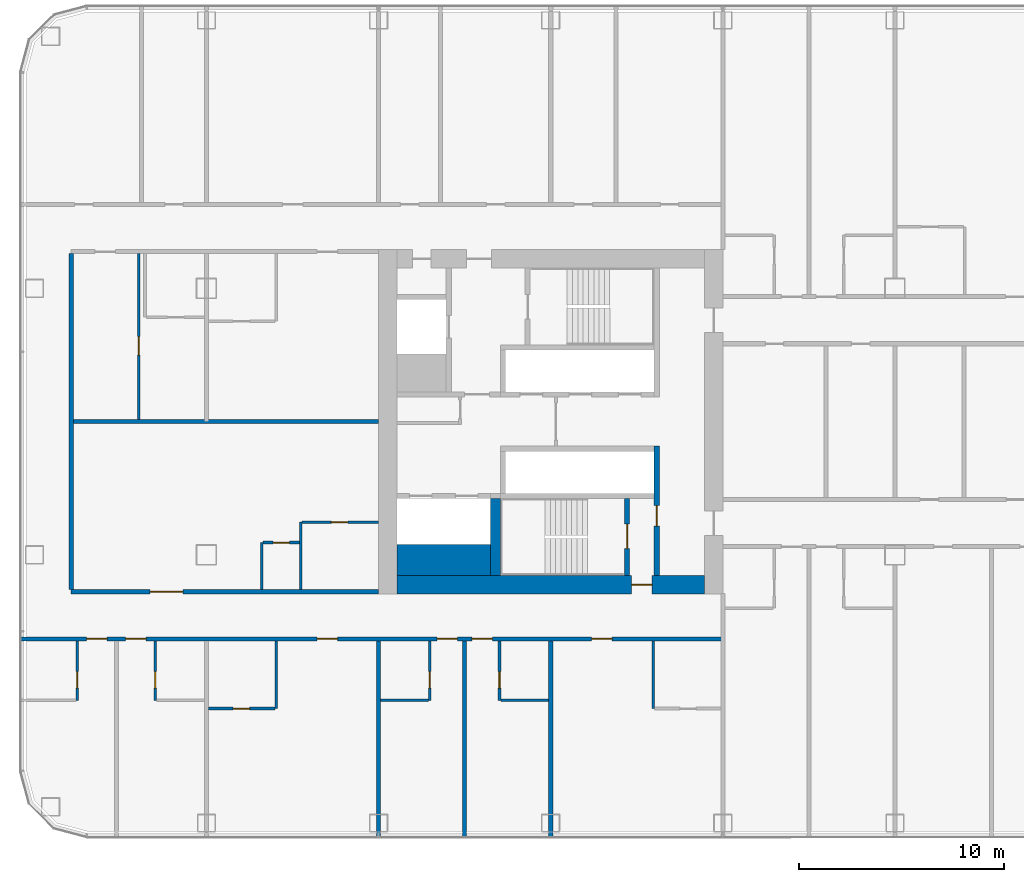
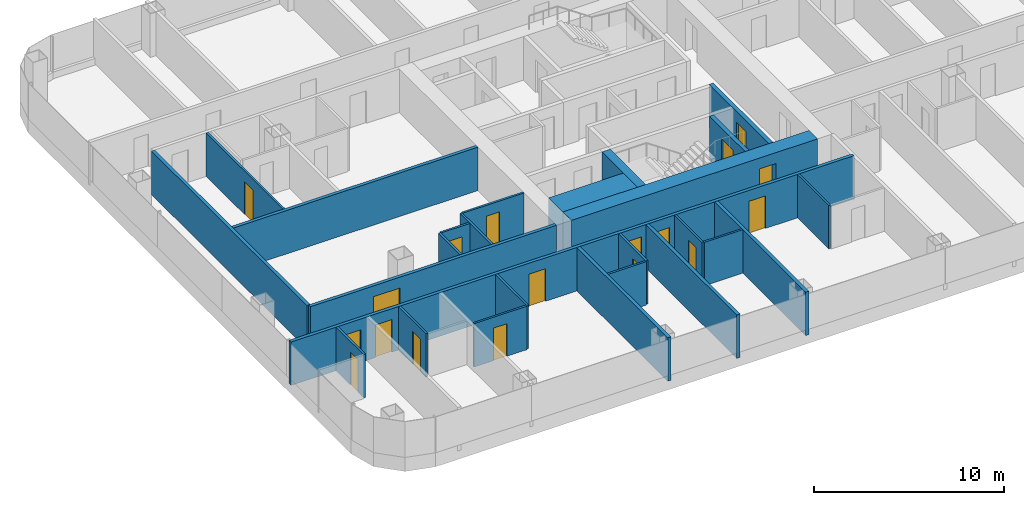
# One storey, part 13 of 29: 26 walls, 18 doors, 18 openings.
"""IFC4 building model written with IfcOpenShell, lengths in metres."""

from ifc_helpers import new_model, si_unit, direction, frame, frame_2d, origin, place, context, subcontext, project, spatial, rectangle, extrude, material, layer, layer_set, type_object, element, fill, save


model = new_model("IFC4")

# Units and contexts
model_context = context("Model", 3, precision=1e-05, world=origin(), true_north=direction((0.0, 1.0)))
body_context = subcontext(model_context, "Body", "Model", "MODEL_VIEW")
ifc_project = project(units=[si_unit("LENGTHUNIT", "METRE"), si_unit("AREAUNIT", "SQUARE_METRE"), si_unit("VOLUMEUNIT", "CUBIC_METRE"), si_unit("PLANEANGLEUNIT", "RADIAN"), si_unit("MASSUNIT", "GRAM", prefix="KILO")], contexts=[model_context])

# Site, building, storey
site_placement = place(None, origin())
site = spatial("IfcSite", under=ifc_project, at=site_placement, CompositionType="ELEMENT")
building_placement = place(site_placement, origin())
building = spatial("IfcBuilding", under=site, at=building_placement, Name="Hakoniwa Tower and Hamabe Station Hall", CompositionType="ELEMENT")
storey_placement = place(building_placement, frame((0.0, 0.0, 45.39990234375)))
storey = spatial("IfcBuildingStorey", under=building, at=storey_placement, Name="L12", CompositionType="ELEMENT", Elevation=45.39990234375)

# Wall, opening, door
ifc_material_1 = material(Name="Gypsum board partition", Category="gypsum")
ifc_layer_1 = layer(ifc_material_1, 0.125)
ifc_layer_set_1 = layer_set([ifc_layer_1], Name="Bathroom Partition 125")
wall_type_1 = type_object("IfcWallType", Name="Bathroom Partition 125", PredefinedType="PARTITIONING", material=ifc_layer_set_1)
wall_1_placement = place(storey_placement, frame((-41.89990234375, -14.0, 0.0), z_axis=(0.0, 0.0, 1.0), x_axis=(1.0, 0.0, 0.0)))
wall_1 = element("IfcWall", 1, at=wall_1_placement, inside=storey, type_object=wall_type_1, Name="GW-L12-001", PredefinedType="PARTITIONING", context=body_context, shape_type="SweptSolid", body=[
    extrude(rectangle(XDim=3.2373046875, YDim=0.125, at=frame_2d((1.61865234375, 0.0))), origin(), (0.0, 0.0, 1.0), 2.800048828125),
])
opening_1_placement = place(wall_1_placement, frame((1.199951171875, 0.0, 0.0)))
opening_1 = element("IfcOpeningElement", 2, at=opening_1_placement, cuts=wall_1, Name="Opening GD-G1D1-01", PredefinedType="OPENING", context=body_context, shape_type="SweptSolid", body=[
    extrude(rectangle(XDim=0.800048828125, YDim=2.10009765625, at=frame_2d((0.39990234375, 1.050048828125))), frame((0.0, 0.072509765625, 0.0), z_axis=(0.0, -1.0, 0.0), x_axis=(1.0, 0.0, 0.0)), (0.0, 0.0, 1.0), 0.14501953125),
])
ifc_material_2 = material(Name="Timber door leaf", Category="wood")
door_type_1 = type_object("IfcDoorType", Name="Bathroom Door 800", OperationType="SINGLE_SWING_LEFT", PredefinedType="DOOR", material=ifc_material_2)
door_1_placement = place(opening_1_placement, origin())
door_1 = element("IfcDoor", 3, at=door_1_placement, inside=storey, type_object=door_type_1, Name="Door GD-G1D1-01", OperationType="SINGLE_SWING_RIGHT", OverallHeight=2.10009765625, OverallWidth=0.800048828125, PredefinedType="DOOR", context=body_context, shape_type="SweptSolid", body=[
    extrude(rectangle(XDim=0.800048828125, YDim=2.10009765625, at=frame_2d((0.39990234375, 1.050048828125))), frame((0.0, 0.02490234375, 0.0), z_axis=(0.0, -1.0, 0.0), x_axis=(1.0, 0.0, 0.0)), (0.0, 0.0, 1.0), 0.050048828125),
])
fill(opening_1, door_1)

# Walls
for number, where, z_axis, x_axis, name in (
    (4, (-33.5, -13.60009765625, 0.0), (0.0, 0.0, 1.0), (1.0, 0.0, 0.0), "GW-L12-007"),
    (5, (-27.637451171875, -13.60009765625, 0.0), (0.0, 0.0, 1.0), (1.0, 0.0, 0.0), "GW-L12-008"),
):
    element("IfcWall", number, at=place(storey_placement, frame(where, z_axis=z_axis, x_axis=x_axis)), inside=storey, type_object=wall_type_1, Name=name, PredefinedType="PARTITIONING", context=body_context, shape_type="SweptSolid", body=[
        extrude(rectangle(XDim=2.33740234375, YDim=0.125, at=frame_2d((1.168701171875, 0.0))), origin(), (0.0, 0.0, 1.0), 2.800048828125),
    ])

# Wall, opening, door
wall_2_placement = place(storey_placement, frame((-39.237548828125, -5.89990234375, 0.0), z_axis=(0.0, 0.0, 1.0), x_axis=(1.0, 0.0, 0.0)))
wall_2 = element("IfcWall", 6, at=wall_2_placement, inside=storey, type_object=wall_type_1, Name="GW-L12-023", PredefinedType="PARTITIONING", context=body_context, shape_type="SweptSolid", body=[
    extrude(rectangle(XDim=1.775146484375, YDim=0.125, at=frame_2d((0.8876953125, 0.0))), origin(), (0.0, 0.0, 1.0), 2.800048828125),
])
opening_2_placement = place(wall_2_placement, frame((0.487548828125, 0.0, 0.0)))
opening_2 = element("IfcOpeningElement", 7, at=opening_2_placement, cuts=wall_2, Name="Opening GD-G1D1-28", PredefinedType="OPENING", context=body_context, shape_type="SweptSolid", body=[
    extrude(rectangle(XDim=0.800048828125, YDim=2.10009765625, at=frame_2d((0.39990234375, 1.050048828125))), frame((0.0, 0.072509765625, 0.0), z_axis=(0.0, -1.0, 0.0), x_axis=(1.0, 0.0, 0.0)), (0.0, 0.0, 1.0), 0.14501953125),
])
door_2_placement = place(opening_2_placement, origin())
door_2 = element("IfcDoor", 8, at=door_2_placement, inside=storey, type_object=door_type_1, Name="Door GD-G1D1-28", OperationType="SINGLE_SWING_RIGHT", OverallHeight=2.10009765625, OverallWidth=0.800048828125, PredefinedType="DOOR", context=body_context, shape_type="SweptSolid", body=[
    extrude(rectangle(XDim=0.800048828125, YDim=2.10009765625, at=frame_2d((0.39990234375, 1.050048828125))), frame((0.0, 0.02490234375, 0.0), z_axis=(0.0, -1.0, 0.0), x_axis=(1.0, 0.0, 0.0)), (0.0, 0.0, 1.0), 0.050048828125),
])
fill(opening_2, door_2)

wall_3_placement = place(storey_placement, frame((-37.33740234375, -4.89990234375, 0.0), z_axis=(0.0, 0.0, 1.0), x_axis=(1.0, 0.0, 0.0)))
wall_3 = element("IfcWall", 9, at=wall_3_placement, inside=storey, type_object=wall_type_1, Name="GW-L12-024", PredefinedType="PARTITIONING", context=body_context, shape_type="SweptSolid", body=[
    extrude(rectangle(XDim=3.7373046875, YDim=0.125, at=frame_2d((1.86865234375, 0.0))), origin(), (0.0, 0.0, 1.0), 2.800048828125),
])
opening_3_placement = place(wall_3_placement, frame((1.4375, 0.0, 0.0)))
opening_3 = element("IfcOpeningElement", 10, at=opening_3_placement, cuts=wall_3, Name="Opening GD-G1D1-29", PredefinedType="OPENING", context=body_context, shape_type="SweptSolid", body=[
    extrude(rectangle(XDim=0.800048828125, YDim=2.10009765625, at=frame_2d((0.39990234375, 1.050048828125))), frame((0.0, 0.072509765625, 0.0), z_axis=(0.0, -1.0, 0.0), x_axis=(1.0, 0.0, 0.0)), (0.0, 0.0, 1.0), 0.14501953125),
])
door_3_placement = place(opening_3_placement, origin())
door_3 = element("IfcDoor", 11, at=door_3_placement, inside=storey, type_object=door_type_1, Name="Door GD-G1D1-29", OperationType="SINGLE_SWING_LEFT", OverallHeight=2.10009765625, OverallWidth=0.800048828125, PredefinedType="DOOR", context=body_context, shape_type="SweptSolid", body=[
    extrude(rectangle(XDim=0.800048828125, YDim=2.10009765625, at=frame_2d((0.39990234375, 1.050048828125))), frame((0.0, 0.02490234375, 0.0), z_axis=(0.0, -1.0, 0.0), x_axis=(1.0, 0.0, 0.0)), (0.0, 0.0, 1.0), 0.050048828125),
])
fill(opening_3, door_3)

wall_4_placement = place(storey_placement, frame((-48.300048828125, -13.60009765625, 0.0), z_axis=(0.0, 0.0, 1.0), x_axis=(0.0, 1.0, 0.0)))
wall_4 = element("IfcWall", 12, at=wall_4_placement, inside=storey, type_object=wall_type_1, Name="GW-L12-044", PredefinedType="PARTITIONING", context=body_context, shape_type="SweptSolid", body=[
    extrude(rectangle(XDim=2.900146484375, YDim=0.125, at=frame_2d((1.4501953125, 0.0))), origin(), (0.0, 0.0, 1.0), 2.800048828125),
])
opening_4_placement = place(wall_4_placement, frame((0.60009765625, 0.0, 0.0)))
opening_4 = element("IfcOpeningElement", 13, at=opening_4_placement, cuts=wall_4, Name="Opening GD-G1D1-64", PredefinedType="OPENING", context=body_context, shape_type="SweptSolid", body=[
    extrude(rectangle(XDim=0.800048828125, YDim=2.10009765625, at=frame_2d((0.39990234375, 1.050048828125))), frame((0.0, 0.072509765625, 0.0), z_axis=(0.0, -1.0, 0.0), x_axis=(1.0, 0.0, 0.0)), (0.0, 0.0, 1.0), 0.14501953125),
])
door_4_placement = place(opening_4_placement, origin())
door_4 = element("IfcDoor", 14, at=door_4_placement, inside=storey, type_object=door_type_1, Name="Door GD-G1D1-64", OperationType="SINGLE_SWING_RIGHT", OverallHeight=2.10009765625, OverallWidth=0.800048828125, PredefinedType="DOOR", context=body_context, shape_type="SweptSolid", body=[
    extrude(rectangle(XDim=0.800048828125, YDim=2.10009765625, at=frame_2d((0.39990234375, 1.050048828125))), frame((0.0, 0.02490234375, 0.0), z_axis=(0.0, -1.0, 0.0), x_axis=(1.0, 0.0, 0.0)), (0.0, 0.0, 1.0), 0.050048828125),
])
fill(opening_4, door_4)

wall_5_placement = place(storey_placement, frame((-44.5, -13.60009765625, 0.0), z_axis=(0.0, 0.0, 1.0), x_axis=(0.0, 1.0, 0.0)))
wall_5 = element("IfcWall", 15, at=wall_5_placement, inside=storey, type_object=wall_type_1, Name="GW-L12-049", PredefinedType="PARTITIONING", context=body_context, shape_type="SweptSolid", body=[
    extrude(rectangle(XDim=2.900146484375, YDim=0.125, at=frame_2d((1.4501953125, 0.0))), origin(), (0.0, 0.0, 1.0), 2.800048828125),
])
opening_5_placement = place(wall_5_placement, frame((0.60009765625, 0.0, 0.0)))
opening_5 = element("IfcOpeningElement", 16, at=opening_5_placement, cuts=wall_5, Name="Opening GD-G1D1-66", PredefinedType="OPENING", context=body_context, shape_type="SweptSolid", body=[
    extrude(rectangle(XDim=0.800048828125, YDim=2.10009765625, at=frame_2d((0.39990234375, 1.050048828125))), frame((0.0, 0.072509765625, 0.0), z_axis=(0.0, -1.0, 0.0), x_axis=(1.0, 0.0, 0.0)), (0.0, 0.0, 1.0), 0.14501953125),
])
door_5_placement = place(opening_5_placement, origin())
door_5 = element("IfcDoor", 17, at=door_5_placement, inside=storey, type_object=door_type_1, Name="Door GD-G1D1-66", OperationType="SINGLE_SWING_LEFT", OverallHeight=2.10009765625, OverallWidth=0.800048828125, PredefinedType="DOOR", context=body_context, shape_type="SweptSolid", body=[
    extrude(rectangle(XDim=0.800048828125, YDim=2.10009765625, at=frame_2d((0.39990234375, 1.050048828125))), frame((0.0, 0.02490234375, 0.0), z_axis=(0.0, -1.0, 0.0), x_axis=(1.0, 0.0, 0.0)), (0.0, 0.0, 1.0), 0.050048828125),
])
fill(opening_5, door_5)

# Walls
wall_6_placement = place(storey_placement, frame((-39.300048828125, -8.199951171875, 0.0), z_axis=(0.0, 0.0, 1.0), x_axis=(0.0, 1.0, 0.0)))
element("IfcWall", 18, at=wall_6_placement, inside=storey, type_object=wall_type_1, Name="GW-L12-053", PredefinedType="PARTITIONING", context=body_context, shape_type="SweptSolid", body=[
    extrude(rectangle(XDim=2.300048828125, YDim=0.125, at=frame_2d((1.14990234375, 0.0))), origin(), (0.0, 0.0, 1.0), 2.800048828125),
])
for number, where, z_axis, x_axis, name in (
    (19, (-38.60009765625, -14.0, 0.0), (0.0, 0.0, 1.0), (0.0, 1.0, 0.0), "GW-L12-054"),
    (20, (-37.39990234375, -8.199951171875, 0.0), (0.0, 0.0, 1.0), (0.0, 1.0, 0.0), "GW-L12-056"),
):
    element("IfcWall", number, at=place(storey_placement, frame(where, z_axis=z_axis, x_axis=x_axis)), inside=storey, type_object=wall_type_1, Name=name, PredefinedType="PARTITIONING", context=body_context, shape_type="SweptSolid", body=[
        extrude(rectangle(XDim=3.300048828125, YDim=0.125, at=frame_2d((1.64990234375, 0.0))), origin(), (0.0, 0.0, 1.0), 2.800048828125),
    ])

# Wall, opening, door
wall_7_placement = place(storey_placement, frame((-31.10009765625, -13.60009765625, 0.0), z_axis=(0.0, 0.0, 1.0), x_axis=(0.0, 1.0, 0.0)))
wall_7 = element("IfcWall", 21, at=wall_7_placement, inside=storey, type_object=wall_type_1, Name="GW-L12-059", PredefinedType="PARTITIONING", context=body_context, shape_type="SweptSolid", body=[
    extrude(rectangle(XDim=2.900146484375, YDim=0.125, at=frame_2d((1.4501953125, 0.0))), origin(), (0.0, 0.0, 1.0), 2.800048828125),
])
opening_6_placement = place(wall_7_placement, frame((0.60009765625, 0.0, 0.0)))
opening_6 = element("IfcOpeningElement", 22, at=opening_6_placement, cuts=wall_7, Name="Opening GD-G1D1-67", PredefinedType="OPENING", context=body_context, shape_type="SweptSolid", body=[
    extrude(rectangle(XDim=0.800048828125, YDim=2.10009765625, at=frame_2d((0.39990234375, 1.050048828125))), frame((0.0, 0.072509765625, 0.0), z_axis=(0.0, -1.0, 0.0), x_axis=(1.0, 0.0, 0.0)), (0.0, 0.0, 1.0), 0.14501953125),
])
door_6_placement = place(opening_6_placement, origin())
door_6 = element("IfcDoor", 23, at=door_6_placement, inside=storey, type_object=door_type_1, Name="Door GD-G1D1-67", OperationType="SINGLE_SWING_RIGHT", OverallHeight=2.10009765625, OverallWidth=0.800048828125, PredefinedType="DOOR", context=body_context, shape_type="SweptSolid", body=[
    extrude(rectangle(XDim=0.800048828125, YDim=2.10009765625, at=frame_2d((0.39990234375, 1.050048828125))), frame((0.0, 0.02490234375, 0.0), z_axis=(0.0, -1.0, 0.0), x_axis=(1.0, 0.0, 0.0)), (0.0, 0.0, 1.0), 0.050048828125),
])
fill(opening_6, door_6)

wall_8_placement = place(storey_placement, frame((-27.699951171875, -13.60009765625, 0.0), z_axis=(0.0, 0.0, 1.0), x_axis=(0.0, 1.0, 0.0)))
wall_8 = element("IfcWall", 24, at=wall_8_placement, inside=storey, type_object=wall_type_1, Name="GW-L12-062", PredefinedType="PARTITIONING", context=body_context, shape_type="SweptSolid", body=[
    extrude(rectangle(XDim=2.900146484375, YDim=0.125, at=frame_2d((1.4501953125, 0.0))), origin(), (0.0, 0.0, 1.0), 2.800048828125),
])
opening_7_placement = place(wall_8_placement, frame((0.60009765625, 0.0, 0.0)))
opening_7 = element("IfcOpeningElement", 25, at=opening_7_placement, cuts=wall_8, Name="Opening GD-G1D1-68", PredefinedType="OPENING", context=body_context, shape_type="SweptSolid", body=[
    extrude(rectangle(XDim=0.800048828125, YDim=2.10009765625, at=frame_2d((0.39990234375, 1.050048828125))), frame((0.0, 0.072509765625, 0.0), z_axis=(0.0, -1.0, 0.0), x_axis=(1.0, 0.0, 0.0)), (0.0, 0.0, 1.0), 0.14501953125),
])
door_7_placement = place(opening_7_placement, origin())
door_7 = element("IfcDoor", 26, at=door_7_placement, inside=storey, type_object=door_type_1, Name="Door GD-G1D1-68", OperationType="SINGLE_SWING_LEFT", OverallHeight=2.10009765625, OverallWidth=0.800048828125, PredefinedType="DOOR", context=body_context, shape_type="SweptSolid", body=[
    extrude(rectangle(XDim=0.800048828125, YDim=2.10009765625, at=frame_2d((0.39990234375, 1.050048828125))), frame((0.0, 0.02490234375, 0.0), z_axis=(0.0, -1.0, 0.0), x_axis=(1.0, 0.0, 0.0)), (0.0, 0.0, 1.0), 0.050048828125),
])
fill(opening_7, door_7)

# Wall
wall_9_placement = place(storey_placement, frame((-20.199951171875, -14.0, 0.0), z_axis=(0.0, 0.0, 1.0), x_axis=(0.0, 1.0, 0.0)))
element("IfcWall", 27, at=wall_9_placement, inside=storey, type_object=wall_type_1, Name="GW-L12-066", PredefinedType="PARTITIONING", context=body_context, shape_type="SweptSolid", body=[
    extrude(rectangle(XDim=3.300048828125, YDim=0.125, at=frame_2d((1.64990234375, 0.0))), origin(), (0.0, 0.0, 1.0), 2.800048828125),
])

# Wall, opening, door
ifc_material_3 = material(Name="Concrete C80", Category="concrete")
ifc_layer_2 = layer(ifc_material_3, 0.89990234375)
ifc_layer_set_2 = layer_set([ifc_layer_2], Name="CORE WALL 900 C80")
wall_type_2 = type_object("IfcWallType", Name="CORE WALL 900 C80", PredefinedType="SHEAR", material=ifc_layer_set_2)
wall_10_placement = place(storey_placement, frame((-32.699951171875, -7.949951171875, 0.0), z_axis=(0.0, 0.0, 1.0), x_axis=(1.0, 0.0, 0.0)))
wall_10 = element("IfcWall", 28, at=wall_10_placement, inside=storey, type_object=wall_type_2, Name="Core wall SOUTH west", PredefinedType="SHEAR", context=body_context, shape_type="SweptSolid", body=[
    extrude(rectangle(XDim=15.0, YDim=0.89990234375, at=frame_2d((7.5, 0.0))), origin(), (0.0, 0.0, 1.0), 2.800048828125),
])
opening_8_placement = place(wall_10_placement, frame((11.449951171875, 0.0, 0.0)))
opening_8 = element("IfcOpeningElement", 29, at=opening_8_placement, cuts=wall_10, Name="Opening CD-W-FS3-10", PredefinedType="OPENING", context=body_context, shape_type="SweptSolid", body=[
    extrude(rectangle(XDim=1.0, YDim=2.10009765625, at=frame_2d((0.5, 1.050048828125))), frame((0.0, 0.4599609375, 0.0), z_axis=(0.0, -1.0, 0.0), x_axis=(1.0, 0.0, 0.0)), (0.0, 0.0, 1.0), 0.919921875),
])
ifc_material_4 = material(Name="Steel fire door", Category="steel")
door_type_2 = type_object("IfcDoorType", Name="CORE DOOR 1000 FD60", OperationType="NOTDEFINED", PredefinedType="DOOR", material=ifc_material_4)
door_8_placement = place(opening_8_placement, origin())
door_8 = element("IfcDoor", 30, at=door_8_placement, inside=storey, type_object=door_type_2, Name="Stair vestibule door", OperationType="SINGLE_SWING_LEFT", OverallHeight=2.10009765625, OverallWidth=1.0, PredefinedType="DOOR", context=body_context, shape_type="SweptSolid", body=[
    extrude(rectangle(XDim=1.0, YDim=2.10009765625, at=frame_2d((0.5, 1.050048828125))), frame((0.0, 0.02490234375, 0.0), z_axis=(0.0, -1.0, 0.0), x_axis=(1.0, 0.0, 0.0)), (0.0, 0.0, 1.0), 0.050048828125),
])
fill(opening_8, door_8)

# Wall
ifc_material_5 = material(Name="Concrete C80", Category="concrete")
ifc_layer_3 = layer(ifc_material_5, 1.5)
ifc_layer_set_3 = layer_set([ifc_layer_3], Name="CORE WEB WALL 1500 C80")
wall_type_3 = type_object("IfcWallType", Name="CORE WEB WALL 1500 C80", PredefinedType="SHEAR", material=ifc_layer_set_3)
wall_11_placement = place(storey_placement, frame((-32.699951171875, -6.75, 0.0), z_axis=(0.0, 0.0, 1.0), x_axis=(1.0, 0.0, 0.0)))
element("IfcWall", 31, at=wall_11_placement, inside=storey, type_object=wall_type_3, Name="Core wall SER west", PredefinedType="SHEAR", context=body_context, shape_type="SweptSolid", body=[
    extrude(rectangle(XDim=4.550048828125, YDim=1.5, at=frame_2d((2.27490234375, 0.0))), origin(), (0.0, 0.0, 1.0), 2.800048828125),
])

# Wall, opening, door
ifc_material_6 = material(Name="Concrete C80", Category="concrete")
ifc_layer_4 = layer(ifc_material_6, 0.25)
ifc_layer_set_4 = layer_set([ifc_layer_4], Name="CORE WEB WALL 250 C80")
wall_type_4 = type_object("IfcWallType", Name="CORE WEB WALL 250 C80", PredefinedType="SHEAR", material=ifc_layer_set_4)
wall_12_placement = place(storey_placement, frame((-20.02490234375, -7.5, 0.0), z_axis=(0.0, 0.0, 1.0), x_axis=(0.0, 1.0, 0.0)))
wall_12 = element("IfcWall", 32, at=wall_12_placement, inside=storey, type_object=wall_type_4, Name="Core wall W1S west", PredefinedType="SHEAR", context=body_context, shape_type="SweptSolid", body=[
    extrude(rectangle(XDim=6.300048828125, YDim=0.25, at=frame_2d((3.14990234375, 0.0))), origin(), (0.0, 0.0, 1.0), 2.800048828125),
])
opening_9_placement = place(wall_12_placement, frame((2.39990234375, 0.0, 0.0)))
opening_9 = element("IfcOpeningElement", 33, at=opening_9_placement, cuts=wall_12, Name="Opening CD-W-VS-10", PredefinedType="OPENING", context=body_context, shape_type="SweptSolid", body=[
    extrude(rectangle(XDim=1.0, YDim=2.10009765625, at=frame_2d((0.5, 1.050048828125))), frame((0.0, 0.135009765625, 0.0), z_axis=(0.0, -1.0, 0.0), x_axis=(1.0, 0.0, 0.0)), (0.0, 0.0, 1.0), 0.27001953125),
])
door_9_placement = place(opening_9_placement, origin())
door_9 = element("IfcDoor", 34, at=door_9_placement, inside=storey, type_object=door_type_2, Name="Stair vestibule door", OperationType="SINGLE_SWING_LEFT", OverallHeight=2.10009765625, OverallWidth=1.0, PredefinedType="DOOR", context=body_context, shape_type="SweptSolid", body=[
    extrude(rectangle(XDim=1.0, YDim=2.10009765625, at=frame_2d((0.5, 1.050048828125))), frame((0.0, 0.02490234375, 0.0), z_axis=(0.0, -1.0, 0.0), x_axis=(1.0, 0.0, 0.0)), (0.0, 0.0, 1.0), 0.050048828125),
])
fill(opening_9, door_9)

wall_13_placement = place(storey_placement, frame((-21.47509765625, -7.5, 0.0), z_axis=(0.0, 0.0, 1.0), x_axis=(0.0, 1.0, 0.0)))
wall_13 = element("IfcWall", 35, at=wall_13_placement, inside=storey, type_object=wall_type_4, Name="Core wall VE west", PredefinedType="SHEAR", context=body_context, shape_type="SweptSolid", body=[
    extrude(rectangle(XDim=3.75, YDim=0.25, at=frame_2d((1.875, 0.0))), origin(), (0.0, 0.0, 1.0), 2.800048828125),
])
opening_10_placement = place(wall_13_placement, frame((1.300048828125, 0.0, 0.0)))
opening_10 = element("IfcOpeningElement", 36, at=opening_10_placement, cuts=wall_13, Name="Opening CD-W-SS-12", PredefinedType="OPENING", context=body_context, shape_type="SweptSolid", body=[
    extrude(rectangle(XDim=1.199951171875, YDim=2.10009765625, at=frame_2d((0.60009765625, 1.050048828125))), frame((0.0, 0.135009765625, 0.0), z_axis=(0.0, -1.0, 0.0), x_axis=(1.0, 0.0, 0.0)), (0.0, 0.0, 1.0), 0.27001953125),
])
ifc_material_7 = material(Name="Steel fire door", Category="steel")
door_type_3 = type_object("IfcDoorType", Name="CORE DOOR 1200 FD60", OperationType="DOUBLE_DOOR_SINGLE_SWING", PredefinedType="DOOR", material=ifc_material_7)
door_10_placement = place(opening_10_placement, origin())
door_10 = element("IfcDoor", 37, at=door_10_placement, inside=storey, type_object=door_type_3, Name="Escape stair door", OperationType="DOUBLE_DOOR_SINGLE_SWING", OverallHeight=2.10009765625, OverallWidth=1.199951171875, PredefinedType="DOOR", context=body_context, shape_type="SweptSolid", body=[
    extrude(rectangle(XDim=1.199951171875, YDim=2.10009765625, at=frame_2d((0.60009765625, 1.050048828125))), frame((0.0, 0.02490234375, 0.0), z_axis=(0.0, -1.0, 0.0), x_axis=(1.0, 0.0, 0.0)), (0.0, 0.0, 1.0), 0.050048828125),
])
fill(opening_10, door_10)

# Wall
ifc_material_8 = material(Name="Concrete C80", Category="concrete")
ifc_layer_5 = layer(ifc_material_8, 0.5)
ifc_layer_set_5 = layer_set([ifc_layer_5], Name="CORE WEB WALL 500 C80")
wall_type_5 = type_object("IfcWallType", Name="CORE WEB WALL 500 C80", PredefinedType="SHEAR", material=ifc_layer_set_5)
wall_14_placement = place(storey_placement, frame((-27.89990234375, -7.5, 0.0), z_axis=(0.0, 0.0, 1.0), x_axis=(0.0, 1.0, 0.0)))
element("IfcWall", 38, at=wall_14_placement, inside=storey, type_object=wall_type_5, Name="Core wall SSE west", PredefinedType="SHEAR", context=body_context, shape_type="SweptSolid", body=[
    extrude(rectangle(XDim=3.75, YDim=0.5, at=frame_2d((1.875, 0.0))), origin(), (0.0, 0.0, 1.0), 2.800048828125),
])

# Wall, openings, doors
ifc_material_9 = material(Name="Fire-rated gypsum board partition", Category="gypsum")
ifc_layer_6 = layer(ifc_material_9, 0.199951171875)
ifc_layer_set_6 = layer_set([ifc_layer_6], Name="Corridor Wall 200")
wall_type_6 = type_object("IfcWallType", Name="Corridor Wall 200", PredefinedType="PARTITIONING", material=ifc_layer_set_6)
wall_15_placement = place(storey_placement, frame((-51.10009765625, -10.60009765625, 0.0), z_axis=(0.0, 0.0, 1.0), x_axis=(1.0, 0.0, 0.0)))
wall_15 = element("IfcWall", 39, at=wall_15_placement, inside=storey, type_object=wall_type_6, Name="GW-L12-013", PredefinedType="PARTITIONING", context=body_context, shape_type="SweptSolid", body=[
    extrude(rectangle(XDim=34.300048828125, YDim=0.199951171875, at=frame_2d((17.14990234375, 0.0))), origin(), (0.0, 0.0, 1.0), 2.800048828125),
])
opening_11_placement = place(wall_15_placement, frame((3.25, 0.0, 0.0)))
opening_11 = element("IfcOpeningElement", 40, at=opening_11_placement, cuts=wall_15, Name="Opening GD-G1D1-05", PredefinedType="OPENING", context=body_context, shape_type="SweptSolid", body=[
    extrude(rectangle(XDim=1.0, YDim=2.10009765625, at=frame_2d((0.5, 1.050048828125))), frame((0.0, 0.10986328125, 0.0), z_axis=(0.0, -1.0, 0.0), x_axis=(1.0, 0.0, 0.0)), (0.0, 0.0, 1.0), 0.219970703125),
])
opening_12_placement = place(wall_15_placement, frame((5.14990234375, 0.0, 0.0)))
opening_12 = element("IfcOpeningElement", 41, at=opening_12_placement, cuts=wall_15, Name="Opening GD-G1D1-06", PredefinedType="OPENING", context=body_context, shape_type="SweptSolid", body=[
    extrude(rectangle(XDim=1.0, YDim=2.10009765625, at=frame_2d((0.5, 1.050048828125))), frame((0.0, 0.10986328125, 0.0), z_axis=(0.0, -1.0, 0.0), x_axis=(1.0, 0.0, 0.0)), (0.0, 0.0, 1.0), 0.219970703125),
])
opening_13_placement = place(wall_15_placement, frame((14.5, 0.0, 0.0)))
opening_13 = element("IfcOpeningElement", 42, at=opening_13_placement, cuts=wall_15, Name="Opening GD-G1D1-07", PredefinedType="OPENING", context=body_context, shape_type="SweptSolid", body=[
    extrude(rectangle(XDim=1.0, YDim=2.10009765625, at=frame_2d((0.5, 1.050048828125))), frame((0.0, 0.10986328125, 0.0), z_axis=(0.0, -1.0, 0.0), x_axis=(1.0, 0.0, 0.0)), (0.0, 0.0, 1.0), 0.219970703125),
])
opening_14_placement = place(wall_15_placement, frame((20.35009765625, 0.0, 0.0)))
opening_14 = element("IfcOpeningElement", 43, at=opening_14_placement, cuts=wall_15, Name="Opening GD-G1D1-08", PredefinedType="OPENING", context=body_context, shape_type="SweptSolid", body=[
    extrude(rectangle(XDim=1.0, YDim=2.10009765625, at=frame_2d((0.5, 1.050048828125))), frame((0.0, 0.10986328125, 0.0), z_axis=(0.0, -1.0, 0.0), x_axis=(1.0, 0.0, 0.0)), (0.0, 0.0, 1.0), 0.219970703125),
])
opening_15_placement = place(wall_15_placement, frame((22.050048828125, 0.0, 0.0)))
opening_15 = element("IfcOpeningElement", 44, at=opening_15_placement, cuts=wall_15, Name="Opening GD-G1D1-09", PredefinedType="OPENING", context=body_context, shape_type="SweptSolid", body=[
    extrude(rectangle(XDim=1.0, YDim=2.10009765625, at=frame_2d((0.5, 1.050048828125))), frame((0.0, 0.10986328125, 0.0), z_axis=(0.0, -1.0, 0.0), x_axis=(1.0, 0.0, 0.0)), (0.0, 0.0, 1.0), 0.219970703125),
])
opening_16_placement = place(wall_15_placement, frame((27.89990234375, 0.0, 0.0)))
opening_16 = element("IfcOpeningElement", 45, at=opening_16_placement, cuts=wall_15, Name="Opening GD-G1D1-10", PredefinedType="OPENING", context=body_context, shape_type="SweptSolid", body=[
    extrude(rectangle(XDim=1.0, YDim=2.10009765625, at=frame_2d((0.5, 1.050048828125))), frame((0.0, 0.10986328125, 0.0), z_axis=(0.0, -1.0, 0.0), x_axis=(1.0, 0.0, 0.0)), (0.0, 0.0, 1.0), 0.219970703125),
])
ifc_material_10 = material(Name="Timber door leaf", Category="wood")
door_type_4 = type_object("IfcDoorType", Name="Guest Entrance Door 1000", OperationType="SINGLE_SWING_LEFT", PredefinedType="DOOR", material=ifc_material_10)
door_11_placement = place(opening_11_placement, origin())
door_11 = element("IfcDoor", 46, at=door_11_placement, inside=storey, type_object=door_type_4, Name="Door GD-G1D1-05", OperationType="SINGLE_SWING_LEFT", OverallHeight=2.10009765625, OverallWidth=1.0, PredefinedType="DOOR", context=body_context, shape_type="SweptSolid", body=[
    extrude(rectangle(XDim=1.0, YDim=2.10009765625, at=frame_2d((0.5, 1.050048828125))), frame((0.0, 0.02490234375, 0.0), z_axis=(0.0, -1.0, 0.0), x_axis=(1.0, 0.0, 0.0)), (0.0, 0.0, 1.0), 0.050048828125),
])
fill(opening_11, door_11)
door_12_placement = place(opening_12_placement, origin())
door_12 = element("IfcDoor", 47, at=door_12_placement, inside=storey, type_object=door_type_4, Name="Door GD-G1D1-06", OperationType="SINGLE_SWING_RIGHT", OverallHeight=2.10009765625, OverallWidth=1.0, PredefinedType="DOOR", context=body_context, shape_type="SweptSolid", body=[
    extrude(rectangle(XDim=1.0, YDim=2.10009765625, at=frame_2d((0.5, 1.050048828125))), frame((0.0, 0.02490234375, 0.0), z_axis=(0.0, -1.0, 0.0), x_axis=(1.0, 0.0, 0.0)), (0.0, 0.0, 1.0), 0.050048828125),
])
fill(opening_12, door_12)
door_13_placement = place(opening_13_placement, origin())
door_13 = element("IfcDoor", 48, at=door_13_placement, inside=storey, type_object=door_type_4, Name="Door GD-G1D1-07", OperationType="SINGLE_SWING_LEFT", OverallHeight=2.10009765625, OverallWidth=1.0, PredefinedType="DOOR", context=body_context, shape_type="SweptSolid", body=[
    extrude(rectangle(XDim=1.0, YDim=2.10009765625, at=frame_2d((0.5, 1.050048828125))), frame((0.0, 0.02490234375, 0.0), z_axis=(0.0, -1.0, 0.0), x_axis=(1.0, 0.0, 0.0)), (0.0, 0.0, 1.0), 0.050048828125),
])
fill(opening_13, door_13)
door_14_placement = place(opening_14_placement, origin())
door_14 = element("IfcDoor", 49, at=door_14_placement, inside=storey, type_object=door_type_4, Name="Door GD-G1D1-08", OperationType="SINGLE_SWING_RIGHT", OverallHeight=2.10009765625, OverallWidth=1.0, PredefinedType="DOOR", context=body_context, shape_type="SweptSolid", body=[
    extrude(rectangle(XDim=1.0, YDim=2.10009765625, at=frame_2d((0.5, 1.050048828125))), frame((0.0, 0.02490234375, 0.0), z_axis=(0.0, -1.0, 0.0), x_axis=(1.0, 0.0, 0.0)), (0.0, 0.0, 1.0), 0.050048828125),
])
fill(opening_14, door_14)
door_15_placement = place(opening_15_placement, origin())
door_15 = element("IfcDoor", 50, at=door_15_placement, inside=storey, type_object=door_type_4, Name="Door GD-G1D1-09", OperationType="SINGLE_SWING_LEFT", OverallHeight=2.10009765625, OverallWidth=1.0, PredefinedType="DOOR", context=body_context, shape_type="SweptSolid", body=[
    extrude(rectangle(XDim=1.0, YDim=2.10009765625, at=frame_2d((0.5, 1.050048828125))), frame((0.0, 0.02490234375, 0.0), z_axis=(0.0, -1.0, 0.0), x_axis=(1.0, 0.0, 0.0)), (0.0, 0.0, 1.0), 0.050048828125),
])
fill(opening_15, door_15)
door_16_placement = place(opening_16_placement, origin())
door_16 = element("IfcDoor", 51, at=door_16_placement, inside=storey, type_object=door_type_4, Name="Door GD-G1D1-10", OperationType="SINGLE_SWING_LEFT", OverallHeight=2.10009765625, OverallWidth=1.0, PredefinedType="DOOR", context=body_context, shape_type="SweptSolid", body=[
    extrude(rectangle(XDim=1.0, YDim=2.10009765625, at=frame_2d((0.5, 1.050048828125))), frame((0.0, 0.02490234375, 0.0), z_axis=(0.0, -1.0, 0.0), x_axis=(1.0, 0.0, 0.0)), (0.0, 0.0, 1.0), 0.050048828125),
])
fill(opening_16, door_16)

# Wall, opening, door
wall_16_placement = place(storey_placement, frame((-48.60009765625, -8.300048828125, 0.0), z_axis=(0.0, 0.0, 1.0), x_axis=(1.0, 0.0, 0.0)))
wall_16 = element("IfcWall", 52, at=wall_16_placement, inside=storey, type_object=wall_type_6, Name="GW-L12-020", PredefinedType="PARTITIONING", context=body_context, shape_type="SweptSolid", body=[
    extrude(rectangle(XDim=15.0, YDim=0.199951171875, at=frame_2d((7.5, 0.0))), origin(), (0.0, 0.0, 1.0), 2.800048828125),
])
opening_17_placement = place(wall_16_placement, frame((3.85009765625, 0.0, 0.0)))
opening_17 = element("IfcOpeningElement", 53, at=opening_17_placement, cuts=wall_16, Name="Opening GD-G1D1-18", PredefinedType="OPENING", context=body_context, shape_type="SweptSolid", body=[
    extrude(rectangle(XDim=1.60009765625, YDim=2.10009765625, at=frame_2d((0.800048828125, 1.050048828125))), frame((0.0, 0.10986328125, 0.0), z_axis=(0.0, -1.0, 0.0), x_axis=(1.0, 0.0, 0.0)), (0.0, 0.0, 1.0), 0.219970703125),
])
ifc_material_11 = material(Name="Timber door leaf", Category="wood")
door_type_5 = type_object("IfcDoorType", Name="Double Door 1600", OperationType="DOUBLE_DOOR_SINGLE_SWING", PredefinedType="DOOR", material=ifc_material_11)
door_17_placement = place(opening_17_placement, origin())
door_17 = element("IfcDoor", 54, at=door_17_placement, inside=storey, type_object=door_type_5, Name="Door GD-G1D1-18", OperationType="DOUBLE_DOOR_SINGLE_SWING", OverallHeight=2.10009765625, OverallWidth=1.60009765625, PredefinedType="DOOR", context=body_context, shape_type="SweptSolid", body=[
    extrude(rectangle(XDim=1.60009765625, YDim=2.10009765625, at=frame_2d((0.800048828125, 1.050048828125))), frame((0.0, 0.02490234375, 0.0), z_axis=(0.0, -1.0, 0.0), x_axis=(1.0, 0.0, 0.0)), (0.0, 0.0, 1.0), 0.050048828125),
])
fill(opening_17, door_17)

# Walls
ifc_material_12 = material(Name="Fire-rated gypsum board partition", Category="gypsum")
ifc_layer_7 = layer(ifc_material_12, 0.199951171875)
ifc_layer_set_7 = layer_set([ifc_layer_7], Name="Party Wall 200")
wall_type_7 = type_object("IfcWallType", Name="Party Wall 200", PredefinedType="PARTITIONING", material=ifc_layer_set_7)
wall_17_placement = place(storey_placement, frame((-48.5, 0.0, 0.0), z_axis=(0.0, 0.0, 1.0), x_axis=(1.0, 0.0, 0.0)))
element("IfcWall", 55, at=wall_17_placement, inside=storey, type_object=wall_type_7, Name="GW-L12-027", PredefinedType="PARTITIONING", context=body_context, shape_type="SweptSolid", body=[
    extrude(rectangle(XDim=14.89990234375, YDim=0.199951171875, at=frame_2d((7.449951171875, 0.0))), origin(), (0.0, 0.0, 1.0), 2.800048828125),
])
wall_18_placement = place(storey_placement, frame((-48.60009765625, -8.199951171875, 0.0), z_axis=(0.0, 0.0, 1.0), x_axis=(0.0, 1.0, 0.0)))
element("IfcWall", 56, at=wall_18_placement, inside=storey, type_object=wall_type_7, Name="GW-L12-043", PredefinedType="PARTITIONING", context=body_context, shape_type="SweptSolid", body=[
    extrude(rectangle(XDim=16.39990234375, YDim=0.199951171875, at=frame_2d((8.199951171875, 0.0))), origin(), (0.0, 0.0, 1.0), 2.800048828125),
])
for number, where, z_axis, x_axis, name in (
    (57, (-33.60009765625, -20.300048828125, 0.0), (0.0, 0.0, 1.0), (0.0, 1.0, 0.0), "GW-L12-057"),
    (58, (-29.39990234375, -20.300048828125, 0.0), (0.0, 0.0, 1.0), (0.0, 1.0, 0.0), "GW-L12-061"),
    (59, (-25.199951171875, -20.300048828125, 0.0), (0.0, 0.0, 1.0), (0.0, 1.0, 0.0), "GW-L12-063"),
):
    element("IfcWall", number, at=place(storey_placement, frame(where, z_axis=z_axis, x_axis=x_axis)), inside=storey, type_object=wall_type_7, Name=name, PredefinedType="PARTITIONING", context=body_context, shape_type="SweptSolid", body=[
        extrude(rectangle(XDim=9.60009765625, YDim=0.199951171875, at=frame_2d((4.800048828125, 0.0))), origin(), (0.0, 0.0, 1.0), 2.800048828125),
    ])

# Wall, opening, door
ifc_material_13 = material(Name="Gypsum board partition", Category="gypsum")
ifc_layer_8 = layer(ifc_material_13, 0.125)
ifc_layer_set_8 = layer_set([ifc_layer_8], Name="Room Partition 125")
wall_type_8 = type_object("IfcWallType", Name="Room Partition 125", PredefinedType="PARTITIONING", material=ifc_layer_set_8)
wall_19_placement = place(storey_placement, frame((-45.300048828125, 0.10009765625, 0.0), z_axis=(0.0, 0.0, 1.0), x_axis=(0.0, 1.0, 0.0)))
wall_19 = element("IfcWall", 60, at=wall_19_placement, inside=storey, type_object=wall_type_8, Name="GW-L12-046", PredefinedType="PARTITIONING", context=body_context, shape_type="SweptSolid", body=[
    extrude(rectangle(XDim=8.099853515625, YDim=0.125, at=frame_2d((4.0498046875, 0.0))), origin(), (0.0, 0.0, 1.0), 2.800048828125),
])
opening_18_placement = place(wall_19_placement, frame((3.14990234375, 0.0, 0.0)))
opening_18 = element("IfcOpeningElement", 61, at=opening_18_placement, cuts=wall_19, Name="Opening GD-G1D1-65", PredefinedType="OPENING", context=body_context, shape_type="SweptSolid", body=[
    extrude(rectangle(XDim=0.89990234375, YDim=2.10009765625, at=frame_2d((0.449951171875, 1.050048828125))), frame((0.0, 0.072509765625, 0.0), z_axis=(0.0, -1.0, 0.0), x_axis=(1.0, 0.0, 0.0)), (0.0, 0.0, 1.0), 0.14501953125),
])
ifc_material_14 = material(Name="Timber door leaf", Category="wood")
door_type_6 = type_object("IfcDoorType", Name="Suite Interior Door 900", OperationType="SINGLE_SWING_LEFT", PredefinedType="DOOR", material=ifc_material_14)
door_18_placement = place(opening_18_placement, origin())
door_18 = element("IfcDoor", 62, at=door_18_placement, inside=storey, type_object=door_type_6, Name="Door GD-G1D1-65", OperationType="SINGLE_SWING_RIGHT", OverallHeight=2.10009765625, OverallWidth=0.89990234375, PredefinedType="DOOR", context=body_context, shape_type="SweptSolid", body=[
    extrude(rectangle(XDim=0.89990234375, YDim=2.10009765625, at=frame_2d((0.449951171875, 1.050048828125))), frame((0.0, 0.02490234375, 0.0), z_axis=(0.0, -1.0, 0.0), x_axis=(1.0, 0.0, 0.0)), (0.0, 0.0, 1.0), 0.050048828125),
])
fill(opening_18, door_18)

save(model, "model.ifc")
